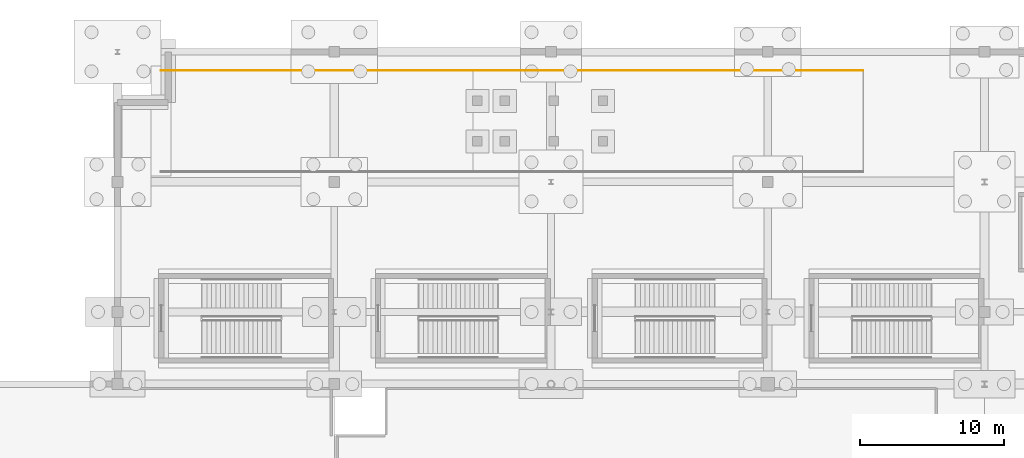
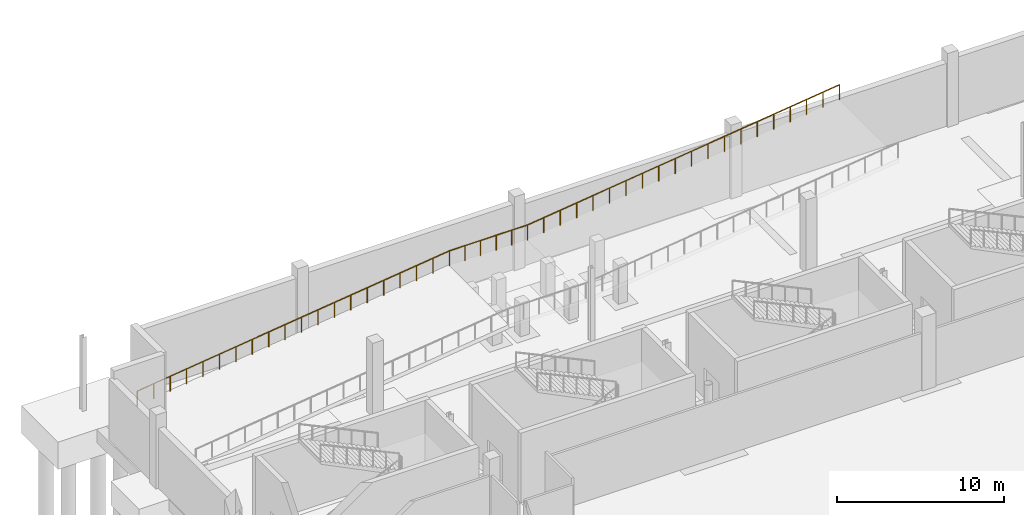
# One storey, part 57 of 58: 3 railings.
"""IFC4 building model written with IfcOpenShell, lengths in metres."""

from ifc_helpers import new_model, si_unit, direction, frame, origin, origin_2d, place, context, subcontext, project, spatial, circle, extrude, material, type_object, element, save


model = new_model("IFC4")

# Units and contexts
model_context = context("Model", 3, precision=1e-05, world=origin(), true_north=direction((0.0, 1.0)))
body_context = subcontext(model_context, "Body", "Model", "MODEL_VIEW")
ifc_project = project(units=[si_unit("LENGTHUNIT", "METRE"), si_unit("AREAUNIT", "SQUARE_METRE"), si_unit("VOLUMEUNIT", "CUBIC_METRE"), si_unit("PLANEANGLEUNIT", "RADIAN"), si_unit("MASSUNIT", "GRAM", prefix="KILO")], contexts=[model_context])

# Site, building, storey
site_placement = place(None, origin())
site = spatial("IfcSite", under=ifc_project, at=site_placement, CompositionType="ELEMENT")
building_placement = place(site_placement, origin())
building = spatial("IfcBuilding", under=site, at=building_placement, Name="Qamarlyn Nura Convention Centre", CompositionType="ELEMENT")
storey_placement = place(building_placement, frame((0.0, 0.0, -5.39990234375)))
storey = spatial("IfcBuildingStorey", under=building, at=storey_placement, Name="B01", CompositionType="ELEMENT", Elevation=-5.39990234375)

# Railings
ifc_material = material(Name="Marine Grade 316 stainless steel", Category="steel")
railing_type = type_object("IfcRailingType", Name="GRD-STAIR-112", PredefinedType="BALUSTRADE", material=ifc_material)
railing_1_placement = place(storey_placement, frame((18.0, 124.699951171875, 0.0)))
element("IfcRailing", 1, at=railing_1_placement, inside=storey, type_object=railing_type, Name="Car park ramp side guard 2-1", PredefinedType="BALUSTRADE", context=body_context, shape_type="SweptSolid", body=[
    extrude(circle(Radius=0.02392578125, at=origin_2d()), frame((0.0, 0.0, 1.09619140625), z_axis=(0.992278221801, 0.0, 0.124031973856), x_axis=(0.0, 1.0, 0.0)), (0.0, 0.0, 1.0), 21.76806640625),
    extrude(circle(Radius=0.02099609375, at=origin_2d()), origin(), (0.0, 0.0, 1.0), 1.070068359375),
    extrude(circle(Radius=0.02099609375, at=origin_2d()), frame((1.136962890625, 0.0, 0.14208984375)), (0.0, 0.0, 1.0), 1.070068359375),
    extrude(circle(Radius=0.02099609375, at=origin_2d()), frame((2.273681640625, 0.0, 0.2841796875)), (0.0, 0.0, 1.0), 1.070068359375),
    extrude(circle(Radius=0.02099609375, at=origin_2d()), frame((3.41064453125, 0.0, 0.42626953125)), (0.0, 0.0, 1.0), 1.070068359375),
    extrude(circle(Radius=0.02099609375, at=origin_2d()), frame((4.54736328125, 0.0, 0.568359375)), (0.0, 0.0, 1.0), 1.070068359375),
    extrude(circle(Radius=0.02099609375, at=origin_2d()), frame((5.684326171875, 0.0, 0.71044921875)), (0.0, 0.0, 1.0), 1.070068359375),
    extrude(circle(Radius=0.02099609375, at=origin_2d()), frame((6.821044921875, 0.0, 0.8525390625)), (0.0, 0.0, 1.0), 1.070068359375),
    extrude(circle(Radius=0.02099609375, at=origin_2d()), frame((7.9580078125, 0.0, 0.99462890625)), (0.0, 0.0, 1.0), 1.070068359375),
    extrude(circle(Radius=0.02099609375, at=origin_2d()), frame((9.0947265625, 0.0, 1.13671875)), (0.0, 0.0, 1.0), 1.070068359375),
    extrude(circle(Radius=0.02099609375, at=origin_2d()), frame((10.231689453125, 0.0, 1.27880859375)), (0.0, 0.0, 1.0), 1.070068359375),
    extrude(circle(Radius=0.02099609375, at=origin_2d()), frame((11.368408203125, 0.0, 1.421142578125)), (0.0, 0.0, 1.0), 1.070068359375),
    extrude(circle(Radius=0.02099609375, at=origin_2d()), frame((12.50537109375, 0.0, 1.563232421875)), (0.0, 0.0, 1.0), 1.070068359375),
    extrude(circle(Radius=0.02099609375, at=origin_2d()), frame((13.64208984375, 0.0, 1.705322265625)), (0.0, 0.0, 1.0), 1.070068359375),
    extrude(circle(Radius=0.02099609375, at=origin_2d()), frame((14.779052734375, 0.0, 1.847412109375)), (0.0, 0.0, 1.0), 1.070068359375),
    extrude(circle(Radius=0.02099609375, at=origin_2d()), frame((15.915771484375, 0.0, 1.989501953125)), (0.0, 0.0, 1.0), 1.070068359375),
    extrude(circle(Radius=0.02099609375, at=origin_2d()), frame((17.052734375, 0.0, 2.131591796875)), (0.0, 0.0, 1.0), 1.070068359375),
    extrude(circle(Radius=0.02099609375, at=origin_2d()), frame((18.189453125, 0.0, 2.273681640625)), (0.0, 0.0, 1.0), 1.070068359375),
    extrude(circle(Radius=0.02099609375, at=origin_2d()), frame((19.326416015625, 0.0, 2.415771484375)), (0.0, 0.0, 1.0), 1.070068359375),
    extrude(circle(Radius=0.02099609375, at=origin_2d()), frame((20.463134765625, 0.0, 2.557861328125)), (0.0, 0.0, 1.0), 1.070068359375),
    extrude(circle(Radius=0.02099609375, at=origin_2d()), frame((21.60009765625, 0.0, 2.699951171875)), (0.0, 0.0, 1.0), 1.070068359375),
])
railing_2_placement = place(storey_placement, frame((39.60009765625, 124.699951171875, 2.699951171875)))
element("IfcRailing", 2, at=railing_2_placement, inside=storey, type_object=railing_type, Name="Car park ramp side guard 2-2", PredefinedType="BALUSTRADE", context=body_context, shape_type="SweptSolid", body=[
    extrude(circle(Radius=0.02392578125, at=origin_2d()), frame((0.0, 0.0, 1.09619140625), z_axis=(1.0, 0.0, 0.0), x_axis=(0.0, 1.0, 0.0)), (0.0, 0.0, 1.0), 5.39990234375),
    extrude(circle(Radius=0.02099609375, at=origin_2d()), origin(), (0.0, 0.0, 1.0), 1.070068359375),
    extrude(circle(Radius=0.02099609375, at=origin_2d()), frame((1.080078125, 0.0, 0.0)), (0.0, 0.0, 1.0), 1.070068359375),
    extrude(circle(Radius=0.02099609375, at=origin_2d()), frame((2.159912109375, 0.0, 0.0)), (0.0, 0.0, 1.0), 1.070068359375),
    extrude(circle(Radius=0.02099609375, at=origin_2d()), frame((3.239990234375, 0.0, 0.0)), (0.0, 0.0, 1.0), 1.070068359375),
    extrude(circle(Radius=0.02099609375, at=origin_2d()), frame((4.31982421875, 0.0, 0.0)), (0.0, 0.0, 1.0), 1.070068359375),
    extrude(circle(Radius=0.02099609375, at=origin_2d()), frame((5.39990234375, 0.0, 0.0)), (0.0, 0.0, 1.0), 1.070068359375),
])
railing_3_placement = place(storey_placement, frame((45.0, 124.699951171875, 2.699951171875)))
element("IfcRailing", 3, at=railing_3_placement, inside=storey, type_object=railing_type, Name="Car park ramp side guard 2-3", PredefinedType="BALUSTRADE", context=body_context, shape_type="SweptSolid", body=[
    extrude(circle(Radius=0.02392578125, at=origin_2d()), frame((0.0, 0.0, 1.09619140625), z_axis=(0.992278221801, 0.0, 0.124031973856), x_axis=(0.0, 1.0, 0.0)), (0.0, 0.0, 1.0), 21.76806640625),
    extrude(circle(Radius=0.02099609375, at=origin_2d()), origin(), (0.0, 0.0, 1.0), 1.070068359375),
    extrude(circle(Radius=0.02099609375, at=origin_2d()), frame((1.136962890625, 0.0, 0.14208984375)), (0.0, 0.0, 1.0), 1.070068359375),
    extrude(circle(Radius=0.02099609375, at=origin_2d()), frame((2.273681640625, 0.0, 0.2841796875)), (0.0, 0.0, 1.0), 1.070068359375),
    extrude(circle(Radius=0.02099609375, at=origin_2d()), frame((3.41064453125, 0.0, 0.42626953125)), (0.0, 0.0, 1.0), 1.070068359375),
    extrude(circle(Radius=0.02099609375, at=origin_2d()), frame((4.54736328125, 0.0, 0.568359375)), (0.0, 0.0, 1.0), 1.070068359375),
    extrude(circle(Radius=0.02099609375, at=origin_2d()), frame((5.684326171875, 0.0, 0.71044921875)), (0.0, 0.0, 1.0), 1.070068359375),
    extrude(circle(Radius=0.02099609375, at=origin_2d()), frame((6.821044921875, 0.0, 0.8525390625)), (0.0, 0.0, 1.0), 1.070068359375),
    extrude(circle(Radius=0.02099609375, at=origin_2d()), frame((7.9580078125, 0.0, 0.99462890625)), (0.0, 0.0, 1.0), 1.070068359375),
    extrude(circle(Radius=0.02099609375, at=origin_2d()), frame((9.0947265625, 0.0, 1.13671875)), (0.0, 0.0, 1.0), 1.070068359375),
    extrude(circle(Radius=0.02099609375, at=origin_2d()), frame((10.231689453125, 0.0, 1.27880859375)), (0.0, 0.0, 1.0), 1.070068359375),
    extrude(circle(Radius=0.02099609375, at=origin_2d()), frame((11.368408203125, 0.0, 1.421142578125)), (0.0, 0.0, 1.0), 1.070068359375),
    extrude(circle(Radius=0.02099609375, at=origin_2d()), frame((12.50537109375, 0.0, 1.563232421875)), (0.0, 0.0, 1.0), 1.070068359375),
    extrude(circle(Radius=0.02099609375, at=origin_2d()), frame((13.64208984375, 0.0, 1.705322265625)), (0.0, 0.0, 1.0), 1.070068359375),
    extrude(circle(Radius=0.02099609375, at=origin_2d()), frame((14.779052734375, 0.0, 1.847412109375)), (0.0, 0.0, 1.0), 1.070068359375),
    extrude(circle(Radius=0.02099609375, at=origin_2d()), frame((15.915771484375, 0.0, 1.989501953125)), (0.0, 0.0, 1.0), 1.070068359375),
    extrude(circle(Radius=0.02099609375, at=origin_2d()), frame((17.052734375, 0.0, 2.131591796875)), (0.0, 0.0, 1.0), 1.070068359375),
    extrude(circle(Radius=0.02099609375, at=origin_2d()), frame((18.189453125, 0.0, 2.273681640625)), (0.0, 0.0, 1.0), 1.070068359375),
    extrude(circle(Radius=0.02099609375, at=origin_2d()), frame((19.326416015625, 0.0, 2.415771484375)), (0.0, 0.0, 1.0), 1.070068359375),
    extrude(circle(Radius=0.02099609375, at=origin_2d()), frame((20.463134765625, 0.0, 2.557861328125)), (0.0, 0.0, 1.0), 1.070068359375),
    extrude(circle(Radius=0.02099609375, at=origin_2d()), frame((21.60009765625, 0.0, 2.699951171875)), (0.0, 0.0, 1.0), 1.070068359375),
])

save(model, "model.ifc")
